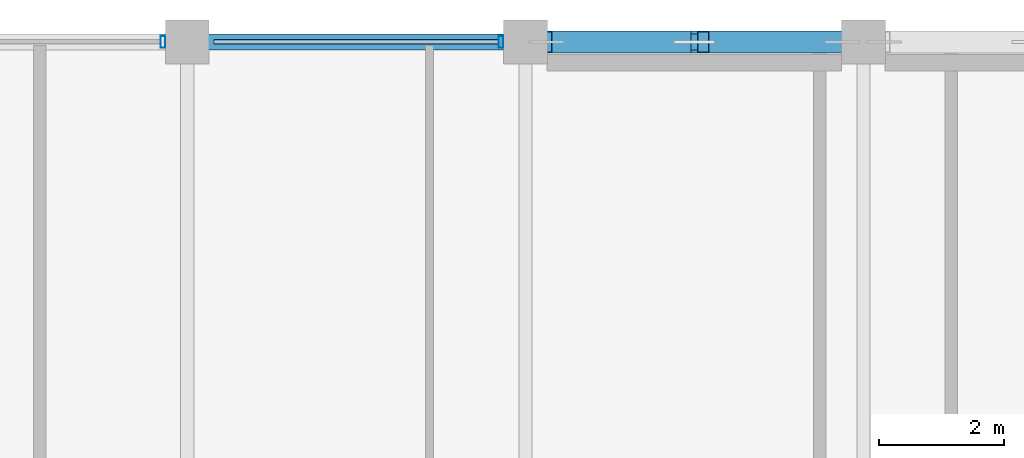
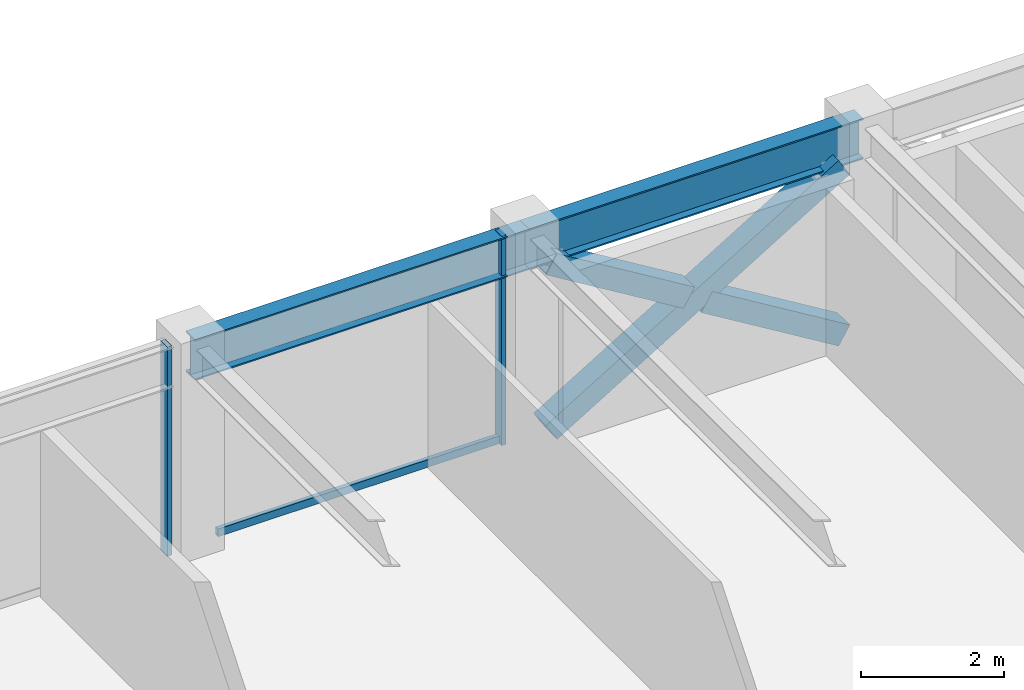
# One storey, part 16 of 29: 6 members, 2 beams, 1 element without a shape of its own.
"""IFC4 building model written with IfcOpenShell, lengths in metres."""

from ifc_helpers import new_model, si_unit, direction, frame, origin, origin_2d, place, context, subcontext, project, spatial, hollow_rectangle, i_section, extrude, material, layer, layer_set, material_profile, profile_set, type_object, element, aggregate, save


model = new_model("IFC4")

# Units and contexts
model_context = context("Model", 3, precision=1e-05, world=origin(), true_north=direction((0.0, 1.0)))
body_context = subcontext(model_context, "Body", "Model", "MODEL_VIEW")
ifc_project = project(units=[si_unit("LENGTHUNIT", "METRE"), si_unit("AREAUNIT", "SQUARE_METRE"), si_unit("VOLUMEUNIT", "CUBIC_METRE"), si_unit("PLANEANGLEUNIT", "RADIAN"), si_unit("MASSUNIT", "GRAM", prefix="KILO")], contexts=[model_context])

# Site, building, storey
site_placement = place(None, origin())
site = spatial("IfcSite", under=ifc_project, at=site_placement, CompositionType="ELEMENT")
building_placement = place(site_placement, origin())
building = spatial("IfcBuilding", under=site, at=building_placement, Name="Surkhivell Harbour Commons", CompositionType="ELEMENT")
storey_placement = place(building_placement, frame((0.0, 0.0, 326.25)))
storey = spatial("IfcBuildingStorey", under=building, at=storey_placement, Name="L85", CompositionType="ELEMENT", Elevation=326.25)

# Beams
ifc_material_1 = material(Name="Steel S355", Category="steel")
ifc_material_profile_1 = material_profile(ifc_material_1, i_section(OverallWidth=0.256103515625, OverallDepth=0.693115234375, WebThickness=0.014404296875, FlangeThickness=0.023681640625, at=origin_2d()), Name="UB686x254x170")
ifc_profile_set_1 = profile_set([ifc_material_profile_1], Name="Steel S355")
beam_type = type_object("IfcBeamType", Name="BM-SPN-686", PredefinedType="SPANDREL", material=ifc_profile_set_1)
beam_1_placement = place(storey_placement, frame((-10.800048828125, 25.89990234375, 3.223388671875), z_axis=(1.0, 0.0, 0.0), x_axis=(0.0, 1.0, 0.0)))
element("IfcBeam", 1, at=beam_1_placement, inside=storey, type_object=beam_type, Name="L85 Tube Spandrel (-10.8,25.9)", PredefinedType="SPANDREL", context=body_context, shape_type="SweptSolid", body=[
    extrude(i_section(OverallWidth=0.256103515625, OverallDepth=0.693115234375, WebThickness=0.014404296875, FlangeThickness=0.023681640625, at=origin_2d()), origin(), (0.0, 0.0, 1.0), 5.400146484375),
])
beam_2_placement = place(storey_placement, frame((-5.39990234375, 25.89990234375, 3.223388671875), z_axis=(1.0, 0.0, 0.0), x_axis=(0.0, 1.0, 0.0)))
element("IfcBeam", 2, at=beam_2_placement, inside=storey, type_object=beam_type, Name="L85 Tube Spandrel (-5.4,25.9)", PredefinedType="SPANDREL", context=body_context, shape_type="SweptSolid", body=[
    extrude(i_section(OverallWidth=0.256103515625, OverallDepth=0.693115234375, WebThickness=0.014404296875, FlangeThickness=0.023681640625, at=origin_2d()), origin(), (0.0, 0.0, 1.0), 5.39990234375),
])

# Curtain wall, members
ifc_material_2 = material(Name="Anodised pale-metal aluminium and insulated glazing", Category="aluminium")
ifc_layer = layer(ifc_material_2, 0.175048828125)
ifc_layer_set = layer_set([ifc_layer], Name="Anodised pale-metal aluminium and insulated glazing")
curtain_wall_type = type_object("IfcCurtainWallType", Name="CW-SYS-Z4", PredefinedType="NOTDEFINED", material=ifc_layer_set)
curtain_wall_placement = place(storey_placement, origin())
curtain_wall = element("IfcCurtainWall", 3, at=curtain_wall_placement, inside=storey, type_object=curtain_wall_type, Name="L85 Curtain Wall CW-L85-E07S2", PredefinedType="NOTDEFINED")
ifc_material_3 = material(Name="Anodised pale-metal aluminium alloy 6063-T6", Category="aluminium")
ifc_material_profile_2 = material_profile(ifc_material_3, hollow_rectangle(XDim=0.074951171875, YDim=0.18994140625, WallThickness=0.00390625, at=origin_2d()), Name="ALU-MULL-75x190")
ifc_profile_set_2 = profile_set([ifc_material_profile_2], Name="Anodised pale-metal aluminium alloy 6063-T6")
member_type_1 = type_object("IfcMemberType", Name="CWM-190", PredefinedType="MULLION", material=ifc_profile_set_2)
member_1_placement = place(storey_placement, frame((-5.78955078125, 25.89990234375, 0.0), z_axis=(0.0, 0.0, 1.0), x_axis=(-1.0, 0.0, 0.0)))
member_1 = element("IfcMember", 4, at=member_1_placement, type_object=member_type_1, Name="CW-Z4 mullion 1", PredefinedType="MULLION", context=body_context, shape_type="SweptSolid", body=[
    extrude(hollow_rectangle(XDim=0.074951171875, YDim=0.18994140625, WallThickness=0.00390625, at=origin_2d()), origin(), (0.0, 0.0, 1.0), 3.570068359375),
])
member_2_placement = place(storey_placement, frame((-11.189453125, 25.89990234375, 0.0), z_axis=(0.0, 0.0, 1.0), x_axis=(-1.0, 0.0, 0.0)))
member_2 = element("IfcMember", 5, at=member_2_placement, type_object=member_type_1, Name="CW-Z4 mullion 2", PredefinedType="MULLION", context=body_context, shape_type="SweptSolid", body=[
    extrude(hollow_rectangle(XDim=0.074951171875, YDim=0.18994140625, WallThickness=0.00390625, at=origin_2d()), origin(), (0.0, 0.0, 1.0), 3.570068359375),
])
ifc_material_4 = material(Name="Champagne anodised aluminium alloy 6063-T6", Category="aluminium")
ifc_material_profile_3 = material_profile(ifc_material_4, hollow_rectangle(XDim=0.070068359375, YDim=0.1298828125, WallThickness=0.00341796875, at=origin_2d()), Name="ALU-TRAN-70x130")
ifc_profile_set_3 = profile_set([ifc_material_profile_3], Name="Champagne anodised aluminium alloy 6063-T6")
member_type_2 = type_object("IfcMemberType", Name="CWT-130", PredefinedType="USERDEFINED", material=ifc_profile_set_3)
member_3_placement = place(storey_placement, frame((-5.826904296875, 25.89990234375, 0.06494140625), z_axis=(-1.0, 0.0, 0.0), x_axis=(0.0, -1.0, 0.0)))
member_3 = element("IfcMember", 6, at=member_3_placement, type_object=member_type_2, Name="CW-Z4 transom 1.1", ObjectType="TRANSOM", PredefinedType="USERDEFINED", context=body_context, shape_type="SweptSolid", body=[
    extrude(hollow_rectangle(XDim=0.070068359375, YDim=0.1298828125, WallThickness=0.00341796875, at=origin_2d()), origin(), (0.0, 0.0, 1.0), 4.546142578125),
])
aggregate(curtain_wall, [member_1, member_3, member_2])

# Members
ifc_material_profile_4 = material_profile(ifc_material_1, hollow_rectangle(XDim=0.35009765625, YDim=0.35009765625, WallThickness=0.01611328125, at=origin_2d()), Name="SHS350x350x16")
ifc_profile_set_4 = profile_set([ifc_material_profile_4], Name="Steel S355")
member_type_3 = type_object("IfcMemberType", Name="MEM-BRC-SHS350", PredefinedType="BRACE", material=ifc_profile_set_4)
member_4_placement = place(storey_placement, frame((-5.06494140625, 25.89990234375, 0.008056640625), z_axis=(0.854685454322, 0.0, 0.519146197299), x_axis=(0.0, 1.0, 0.0)))
element("IfcMember", 7, at=member_4_placement, inside=storey, type_object=member_type_3, Name="L85 Perimeter Mega-Brace MB- 01", PredefinedType="BRACE", context=body_context, shape_type="SweptSolid", body=[
    extrude(hollow_rectangle(XDim=0.35009765625, YDim=0.35009765625, WallThickness=0.01611328125, at=origin_2d()), origin(), (0.0, 0.0, 1.0), 5.5341796875),
])
for number, where, z_axis, x_axis, name in (
    (8, (-0.3349609375, 25.89990234375, 0.008056640625), (-0.854678858595, 0.0, 0.51915705588), (0.0, -1.0, 0.0), "L85 Perimeter Mega-Brace MB- 02"),
    (9, (-2.843505859375, 25.89990234375, 1.53173828125), (-0.854678858595, 0.0, 0.51915705588), (0.0, -1.0, 0.0), "L85 Perimeter Mega-Brace MB- 03"),
):
    element("IfcMember", number, at=place(storey_placement, frame(where, z_axis=z_axis, x_axis=x_axis)), inside=storey, type_object=member_type_3, Name=name, PredefinedType="BRACE", context=body_context, shape_type="SweptSolid", body=[
        extrude(hollow_rectangle(XDim=0.35009765625, YDim=0.35009765625, WallThickness=0.01611328125, at=origin_2d()), origin(), (0.0, 0.0, 1.0), 2.59912109375),
    ])

save(model, "model.ifc")
